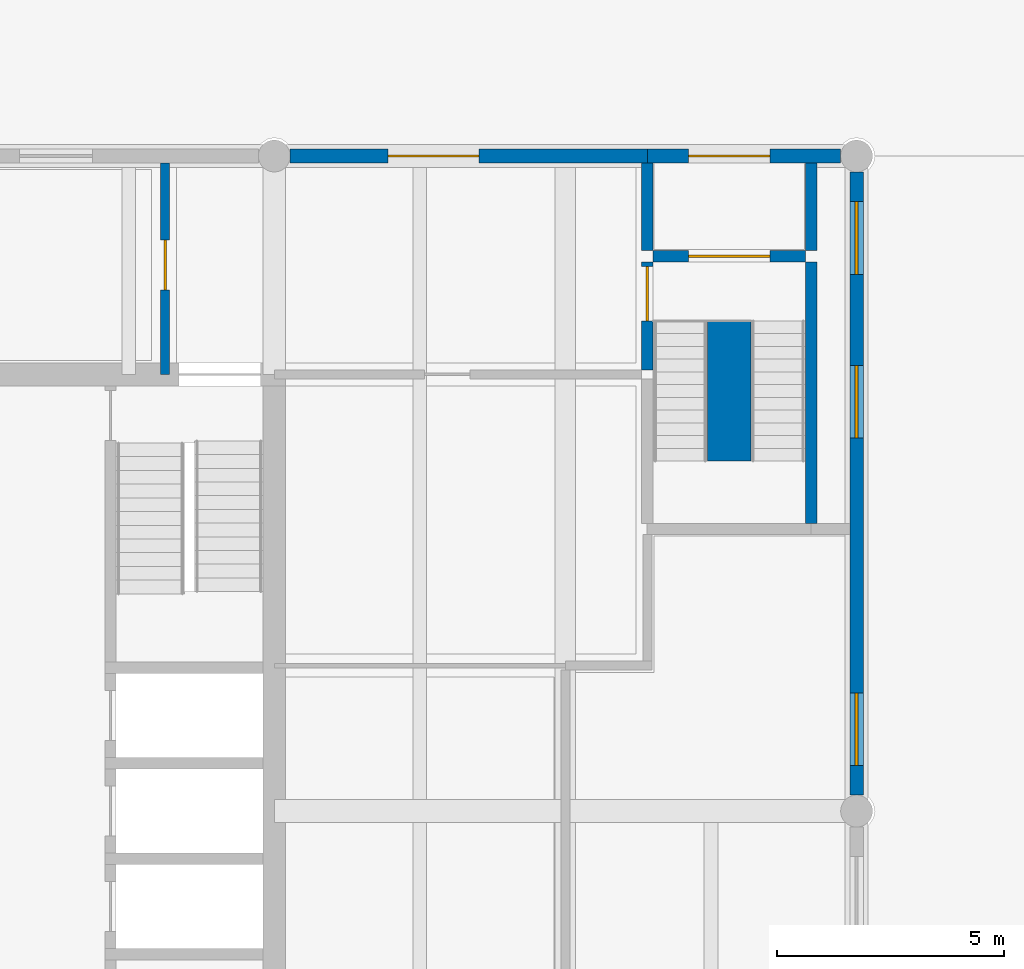
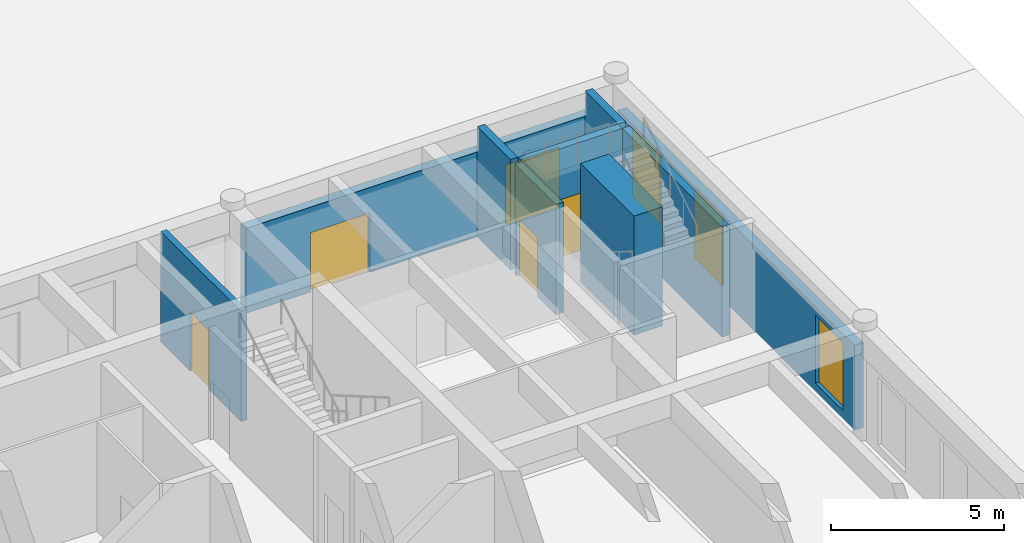
# One storey, part 21 of 28: 10 walls, 5 doors, 3 windows, 8 openings.
"""IFC4 building model written with IfcOpenShell, lengths in metres."""

from ifc_helpers import new_model, si_unit, direction, frame, frame_2d, origin, place, context, subcontext, project, spatial, rectangle, extrude, material, layer, layer_set, type_object, element, fill, save


model = new_model("IFC4")

# Units and contexts
model_context = context("Model", 3, precision=1e-05, world=origin(), true_north=direction((0.0, 1.0)))
body_context = subcontext(model_context, "Body", "Model", "MODEL_VIEW")
ifc_project = project(units=[si_unit("LENGTHUNIT", "METRE"), si_unit("AREAUNIT", "SQUARE_METRE"), si_unit("VOLUMEUNIT", "CUBIC_METRE"), si_unit("PLANEANGLEUNIT", "RADIAN"), si_unit("MASSUNIT", "GRAM", prefix="KILO")], contexts=[model_context])

# Site, building, storey
site_placement = place(None, origin())
site = spatial("IfcSite", under=ifc_project, at=site_placement, CompositionType="ELEMENT")
building_placement = place(site_placement, origin())
building = spatial("IfcBuilding", under=site, at=building_placement, Name="Fogon Plaza Fire Station and Headquarters Tower", CompositionType="ELEMENT")
storey_placement = place(building_placement, origin())
storey = spatial("IfcBuildingStorey", under=building, at=storey_placement, Name="L00", CompositionType="ELEMENT", Elevation=0.0)

# Wall, opening, door
ifc_material_1 = material(Name="Concrete C40", Category="concrete")
ifc_layer_1 = layer(ifc_material_1, 0.300048828125)
ifc_layer_set_1 = layer_set([ifc_layer_1], Name="Concrete C40")
wall_type_1 = type_object("IfcWallType", Name="Board-marked RC Infill Wall 300", PredefinedType="SOLIDWALL", material=ifc_layer_set_1)
wall_1_placement = place(storey_placement, frame((77.14990234375, 57.60009765625, 0.0), z_axis=(0.0, 0.0, 1.0), x_axis=(1.0, 0.0, 0.0)))
wall_1 = element("IfcWall", 1, at=wall_1_placement, inside=storey, type_object=wall_type_1, Name="Exterior wall EN L00", PredefinedType="SOLIDWALL", context=body_context, shape_type="SweptSolid", body=[
    extrude(rectangle(XDim=7.85009765625, YDim=0.300048828125, at=frame_2d((3.925048828125, 0.0))), origin(), (0.0, 0.0, 1.0), 3.0),
])
opening_1_placement = place(wall_1_placement, frame((2.14990234375, 0.0, 0.0)))
opening_1 = element("IfcOpeningElement", 2, at=opening_1_placement, cuts=wall_1, Name="Opening L00-D11", PredefinedType="OPENING", context=body_context, shape_type="SweptSolid", body=[
    extrude(rectangle(XDim=2.0, YDim=2.10009765625, at=frame_2d((1.0, 1.050048828125))), frame((0.0, 0.159912109375, 0.0), z_axis=(0.0, -1.0, 0.0), x_axis=(1.0, 0.0, 0.0)), (0.0, 0.0, 1.0), 0.320068359375),
])
ifc_material_2 = material(Name="Steel Door Leaf", Category="steel")
door_type_1 = type_object("IfcDoorType", Name="Exit Double 2000x2100", OperationType="SINGLE_SWING_LEFT", PredefinedType="DOOR", material=ifc_material_2)
door_1_placement = place(opening_1_placement, origin())
door_1 = element("IfcDoor", 3, at=door_1_placement, inside=storey, type_object=door_type_1, Name="Exterior door L00-D11", OperationType="SINGLE_SWING_LEFT", OverallHeight=2.10009765625, OverallWidth=2.0, PredefinedType="DOOR", context=body_context, shape_type="SweptSolid", body=[
    extrude(rectangle(XDim=2.0, YDim=2.10009765625, at=frame_2d((1.0, 1.050048828125))), frame((0.0, 0.02490234375, 0.0), z_axis=(0.0, -1.0, 0.0), x_axis=(1.0, 0.0, 0.0)), (0.0, 0.0, 1.0), 0.050048828125),
])
fill(opening_1, door_1)

# Wall, openings, windows
wall_2_placement = place(storey_placement, frame((89.60009765625, 43.550048828125, 0.0), z_axis=(0.0, 0.0, 1.0), x_axis=(0.0, 1.0, 0.0)))
wall_2 = element("IfcWall", 4, at=wall_2_placement, inside=storey, type_object=wall_type_1, Name="Exterior wall EE L00", PredefinedType="SOLIDWALL", context=body_context, shape_type="SweptSolid", body=[
    extrude(rectangle(XDim=13.699951171875, YDim=0.300048828125, at=frame_2d((6.85009765625, 0.0))), origin(), (0.0, 0.0, 1.0), 3.0),
])
opening_2_placement = place(wall_2_placement, frame((0.64990234375, 0.0, 0.300048828125)))
opening_2 = element("IfcOpeningElement", 5, at=opening_2_placement, cuts=wall_2, Name="Opening W2", PredefinedType="OPENING", context=body_context, shape_type="SweptSolid", body=[
    extrude(rectangle(XDim=1.60009765625, YDim=2.39990234375, at=frame_2d((0.800048828125, 1.199951171875))), frame((0.0, 0.159912109375, 0.0), z_axis=(0.0, -1.0, 0.0), x_axis=(1.0, 0.0, 0.0)), (0.0, 0.0, 1.0), 0.320068359375),
])
opening_3_placement = place(wall_2_placement, frame((7.85009765625, 0.0, 0.300048828125)))
opening_3 = element("IfcOpeningElement", 6, at=opening_3_placement, cuts=wall_2, Name="Opening W2", PredefinedType="OPENING", context=body_context, shape_type="SweptSolid", body=[
    extrude(rectangle(XDim=1.60009765625, YDim=2.39990234375, at=frame_2d((0.800048828125, 1.199951171875))), frame((0.0, 0.159912109375, 0.0), z_axis=(0.0, -1.0, 0.0), x_axis=(1.0, 0.0, 0.0)), (0.0, 0.0, 1.0), 0.320068359375),
])
opening_4_placement = place(wall_2_placement, frame((11.449951171875, 0.0, 0.300048828125)))
opening_4 = element("IfcOpeningElement", 7, at=opening_4_placement, cuts=wall_2, Name="Opening W2", PredefinedType="OPENING", context=body_context, shape_type="SweptSolid", body=[
    extrude(rectangle(XDim=1.60009765625, YDim=2.39990234375, at=frame_2d((0.800048828125, 1.199951171875))), frame((0.0, 0.159912109375, 0.0), z_axis=(0.0, -1.0, 0.0), x_axis=(1.0, 0.0, 0.0)), (0.0, 0.0, 1.0), 0.320068359375),
])
ifc_material_3 = material(Name="Aluminium framed double glazing", Category="aluminium")
window_type = type_object("IfcWindowType", Name="Window W2 1600x2400", PartitioningType="SINGLE_PANEL", PredefinedType="WINDOW", material=ifc_material_3)
window_1_placement = place(opening_2_placement, origin())
window_1 = element("IfcWindow", 8, at=window_1_placement, inside=storey, type_object=window_type, Name="Window W2 E L00", OverallHeight=2.39990234375, OverallWidth=1.60009765625, PartitioningType="SINGLE_PANEL", PredefinedType="WINDOW", context=body_context, shape_type="SweptSolid", body=[
    extrude(rectangle(XDim=1.60009765625, YDim=2.39990234375, at=frame_2d((0.800048828125, 1.199951171875))), frame((0.0, 0.030029296875, 0.0), z_axis=(0.0, -1.0, 0.0), x_axis=(1.0, 0.0, 0.0)), (0.0, 0.0, 1.0), 0.06005859375),
])
fill(opening_2, window_1)
window_2_placement = place(opening_3_placement, origin())
window_2 = element("IfcWindow", 9, at=window_2_placement, inside=storey, type_object=window_type, Name="Window W2 E L00", OverallHeight=2.39990234375, OverallWidth=1.60009765625, PartitioningType="SINGLE_PANEL", PredefinedType="WINDOW", context=body_context, shape_type="SweptSolid", body=[
    extrude(rectangle(XDim=1.60009765625, YDim=2.39990234375, at=frame_2d((0.800048828125, 1.199951171875))), frame((0.0, 0.030029296875, 0.0), z_axis=(0.0, -1.0, 0.0), x_axis=(1.0, 0.0, 0.0)), (0.0, 0.0, 1.0), 0.06005859375),
])
fill(opening_3, window_2)
window_3_placement = place(opening_4_placement, origin())
window_3 = element("IfcWindow", 10, at=window_3_placement, inside=storey, type_object=window_type, Name="Window W2 E L00", OverallHeight=2.39990234375, OverallWidth=1.60009765625, PartitioningType="SINGLE_PANEL", PredefinedType="WINDOW", context=body_context, shape_type="SweptSolid", body=[
    extrude(rectangle(XDim=1.60009765625, YDim=2.39990234375, at=frame_2d((0.800048828125, 1.199951171875))), frame((0.0, 0.030029296875, 0.0), z_axis=(0.0, -1.0, 0.0), x_axis=(1.0, 0.0, 0.0)), (0.0, 0.0, 1.0), 0.06005859375),
])
fill(opening_4, window_3)

# Wall, opening, door
ifc_material_4 = material(Name="Concrete C40", Category="concrete")
ifc_layer_2 = layer(ifc_material_4, 0.300048828125)
ifc_layer_set_2 = layer_set([ifc_layer_2], Name="Concrete C40")
wall_type_2 = type_object("IfcWallType", Name="Board-marked RC Infill Wall 300 EI 120", PredefinedType="SOLIDWALL", material=ifc_layer_set_2)
wall_3_placement = place(storey_placement, frame((85.0, 57.60009765625, 0.0), z_axis=(0.0, 0.0, 1.0), x_axis=(1.0, 0.0, 0.0)))
wall_3 = element("IfcWall", 11, at=wall_3_placement, inside=storey, type_object=wall_type_2, Name="Exterior wall EN L00", PredefinedType="SOLIDWALL", context=body_context, shape_type="SweptSolid", body=[
    extrude(rectangle(XDim=4.25, YDim=0.300048828125, at=frame_2d((2.125, 0.0))), origin(), (0.0, 0.0, 1.0), 3.0),
])
opening_5_placement = place(wall_3_placement, frame((0.89990234375, 0.0, 0.0)))
opening_5 = element("IfcOpeningElement", 12, at=opening_5_placement, cuts=wall_3, Name="Opening L00-D12", PredefinedType="OPENING", context=body_context, shape_type="SweptSolid", body=[
    extrude(rectangle(XDim=1.800048828125, YDim=2.10009765625, at=frame_2d((0.89990234375, 1.050048828125))), frame((0.0, 0.159912109375, 0.0), z_axis=(0.0, -1.0, 0.0), x_axis=(1.0, 0.0, 0.0)), (0.0, 0.0, 1.0), 0.320068359375),
])
ifc_material_5 = material(Name="Steel Fire Door Leaf", Category="steel")
door_type_2 = type_object("IfcDoorType", Name="Stair Discharge Double 1800x2100", OperationType="SINGLE_SWING_LEFT", PredefinedType="DOOR", material=ifc_material_5)
door_2_placement = place(opening_5_placement, origin())
door_2 = element("IfcDoor", 13, at=door_2_placement, inside=storey, type_object=door_type_2, Name="Exterior door L00-D12", OperationType="SINGLE_SWING_RIGHT", OverallHeight=2.10009765625, OverallWidth=1.800048828125, PredefinedType="DOOR", context=body_context, shape_type="SweptSolid", body=[
    extrude(rectangle(XDim=1.800048828125, YDim=2.10009765625, at=frame_2d((0.89990234375, 1.050048828125))), frame((0.0, 0.02490234375, 0.0), z_axis=(0.0, -1.0, 0.0), x_axis=(1.0, 0.0, 0.0)), (0.0, 0.0, 1.0), 0.050048828125),
])
fill(opening_5, door_2)

ifc_material_6 = material(Name="Gypsum Board Fire Partition")
ifc_layer_3 = layer(ifc_material_6, 0.199951171875)
ifc_layer_set_3 = layer_set([ifc_layer_3], Name="Gypsum Board Fire Partition")
wall_type_3 = type_object("IfcWallType", Name="Corridor Wall EI 60", PredefinedType="PARTITIONING", material=ifc_layer_set_3)
wall_4_placement = place(storey_placement, frame((74.39990234375, 52.800048828125, 0.0), z_axis=(0.0, 0.0, 1.0), x_axis=(0.0, 1.0, 0.0)))
wall_4 = element("IfcWall", 14, at=wall_4_placement, inside=storey, type_object=wall_type_3, Name="wall-L00-E-050", PredefinedType="PARTITIONING", context=body_context, shape_type="SweptSolid", body=[
    extrude(rectangle(XDim=4.64990234375, YDim=0.199951171875, at=frame_2d((2.324951171875, 0.0))), origin(), (0.0, 0.0, 1.0), 3.89990234375),
])
opening_6_placement = place(wall_4_placement, frame((1.85009765625, 0.0, 0.0)))
opening_6 = element("IfcOpeningElement", 15, at=opening_6_placement, cuts=wall_4, Name="Opening L00-D100", PredefinedType="OPENING", context=body_context, shape_type="SweptSolid", body=[
    extrude(rectangle(XDim=1.10009765625, YDim=2.10009765625, at=frame_2d((0.550048828125, 1.050048828125))), frame((0.0, 0.10986328125, 0.0), z_axis=(0.0, -1.0, 0.0), x_axis=(1.0, 0.0, 0.0)), (0.0, 0.0, 1.0), 0.219970703125),
])
ifc_material_7 = material(Name="Steel Fire Door Leaf", Category="steel")
door_type_3 = type_object("IfcDoorType", Name="Corridor Door EI 20 1100x2100", OperationType="SINGLE_SWING_LEFT", PredefinedType="DOOR", material=ifc_material_7)
door_3_placement = place(opening_6_placement, origin())
door_3 = element("IfcDoor", 16, at=door_3_placement, inside=storey, type_object=door_type_3, Name="door-L00-E-21", OperationType="SINGLE_SWING_LEFT", OverallHeight=2.10009765625, OverallWidth=1.10009765625, PredefinedType="DOOR", context=body_context, shape_type="SweptSolid", body=[
    extrude(rectangle(XDim=1.10009765625, YDim=2.10009765625, at=frame_2d((0.550048828125, 1.050048828125))), frame((0.0, 0.02490234375, 0.0), z_axis=(0.0, -1.0, 0.0), x_axis=(1.0, 0.0, 0.0)), (0.0, 0.0, 1.0), 0.050048828125),
])
fill(opening_6, door_3)

# Wall
ifc_material_8 = material(Name="Concrete C40", Category="concrete")
ifc_layer_4 = layer(ifc_material_8, 0.949951171875)
ifc_layer_set_4 = layer_set([ifc_layer_4], Name="Concrete C40")
wall_type_4 = type_object("IfcWallType", Name="Stair Newel Wall RC 950", PredefinedType="SHEAR", material=ifc_layer_set_4)
wall_5_placement = place(storey_placement, frame((86.800048828125, 53.97509765625, 0.0), z_axis=(0.0, 0.0, 1.0), x_axis=(0.0, -1.0, 0.0)))
element("IfcWall", 17, at=wall_5_placement, inside=storey, type_object=wall_type_4, Name="wall-newel-ST7-L00", PredefinedType="SHEAR", context=body_context, shape_type="SweptSolid", body=[
    extrude(rectangle(XDim=3.080078125, YDim=0.949951171875, at=frame_2d((1.5400390625, 0.0))), origin(), (0.0, 0.0, 1.0), 4.199951171875),
])

# Wall, opening, door
ifc_material_9 = material(Name="Concrete C40", Category="concrete")
ifc_layer_5 = layer(ifc_material_9, 0.25)
ifc_layer_set_5 = layer_set([ifc_layer_5], Name="Concrete C40")
wall_type_5 = type_object("IfcWallType", Name="Stair Shaft Wall RC 250", PredefinedType="SHEAR", material=ifc_layer_set_5)
wall_6_placement = place(storey_placement, frame((88.47509765625, 55.39990234375, 0.0), z_axis=(0.0, 0.0, 1.0), x_axis=(-1.0, 0.0, 0.0)))
wall_6 = element("IfcWall", 18, at=wall_6_placement, inside=storey, type_object=wall_type_5, Name="wall-L00-E-029", PredefinedType="SHEAR", context=body_context, shape_type="SweptSolid", body=[
    extrude(rectangle(XDim=3.35009765625, YDim=0.25, at=frame_2d((1.675048828125, 0.0))), origin(), (0.0, 0.0, 1.0), 3.89990234375),
])
opening_7_placement = place(wall_6_placement, frame((0.77490234375, 0.0, 0.0)))
opening_7 = element("IfcOpeningElement", 19, at=opening_7_placement, cuts=wall_6, Name="Opening L00-D99", PredefinedType="OPENING", context=body_context, shape_type="SweptSolid", body=[
    extrude(rectangle(XDim=1.800048828125, YDim=2.10009765625, at=frame_2d((0.89990234375, 1.050048828125))), frame((0.0, 0.135009765625, 0.0), z_axis=(0.0, -1.0, 0.0), x_axis=(1.0, 0.0, 0.0)), (0.0, 0.0, 1.0), 0.27001953125),
])
door_4_placement = place(opening_7_placement, frame((1.800048828125, 0.0, 0.0), z_axis=(0.0, 0.0, 1.0), x_axis=(-1.0, 0.0, 0.0)))
door_4 = element("IfcDoor", 20, at=door_4_placement, inside=storey, type_object=door_type_2, Name="door-L00-E-20", OperationType="DOUBLE_DOOR_SINGLE_SWING", OverallHeight=2.10009765625, OverallWidth=1.800048828125, PredefinedType="DOOR", context=body_context, shape_type="SweptSolid", body=[
    extrude(rectangle(XDim=1.800048828125, YDim=2.10009765625, at=frame_2d((0.89990234375, 1.050048828125))), frame((0.0, 0.02490234375, 0.0), z_axis=(0.0, -1.0, 0.0), x_axis=(1.0, 0.0, 0.0)), (0.0, 0.0, 1.0), 0.050048828125),
])
fill(opening_7, door_4)

# Wall
wall_7_placement = place(storey_placement, frame((88.60009765625, 49.52490234375, 0.0), z_axis=(0.0, 0.0, 1.0), x_axis=(0.0, 1.0, 0.0)))
element("IfcWall", 21, at=wall_7_placement, inside=storey, type_object=wall_type_5, Name="wall-L00-E-032", PredefinedType="SHEAR", context=body_context, shape_type="SweptSolid", body=[
    extrude(rectangle(XDim=5.75, YDim=0.25, at=frame_2d((2.875, 0.0))), origin(), (0.0, 0.0, 1.0), 3.89990234375),
])

# Wall, opening, door
wall_8_placement = place(storey_placement, frame((85.0, 52.89990234375, 0.0), z_axis=(0.0, 0.0, 1.0), x_axis=(0.0, 1.0, 0.0)))
wall_8 = element("IfcWall", 22, at=wall_8_placement, inside=storey, type_object=wall_type_5, Name="wall-L00-E-039", PredefinedType="SHEAR", context=body_context, shape_type="SweptSolid", body=[
    extrude(rectangle(XDim=2.375, YDim=0.25, at=frame_2d((1.1875, 0.0))), origin(), (0.0, 0.0, 1.0), 3.89990234375),
])
opening_8_placement = place(wall_8_placement, frame((1.074951171875, 0.0, 0.0)))
opening_8 = element("IfcOpeningElement", 23, at=opening_8_placement, cuts=wall_8, Name="Opening L00-D98", PredefinedType="OPENING", context=body_context, shape_type="SweptSolid", body=[
    extrude(rectangle(XDim=1.199951171875, YDim=2.10009765625, at=frame_2d((0.60009765625, 1.050048828125))), frame((0.0, 0.135009765625, 0.0), z_axis=(0.0, -1.0, 0.0), x_axis=(1.0, 0.0, 0.0)), (0.0, 0.0, 1.0), 0.27001953125),
])
ifc_material_10 = material(Name="Steel Fire Door Leaf", Category="steel")
door_type_4 = type_object("IfcDoorType", Name="Stair Door EI 90 1200x2100", OperationType="SINGLE_SWING_LEFT", PredefinedType="DOOR", material=ifc_material_10)
door_5_placement = place(opening_8_placement, origin())
door_5 = element("IfcDoor", 24, at=door_5_placement, inside=storey, type_object=door_type_4, Name="door-L00-E-19", OperationType="SINGLE_SWING_LEFT", OverallHeight=2.10009765625, OverallWidth=1.199951171875, PredefinedType="DOOR", context=body_context, shape_type="SweptSolid", body=[
    extrude(rectangle(XDim=1.199951171875, YDim=2.10009765625, at=frame_2d((0.60009765625, 1.050048828125))), frame((0.0, 0.02490234375, 0.0), z_axis=(0.0, -1.0, 0.0), x_axis=(1.0, 0.0, 0.0)), (0.0, 0.0, 1.0), 0.050048828125),
])
fill(opening_8, door_5)

# Walls
ifc_material_11 = material(Name="Concrete Block Fire Wall", Category="concrete")
ifc_layer_6 = layer(ifc_material_11, 0.25)
ifc_layer_set_6 = layer_set([ifc_layer_6], Name="Concrete Block Fire Wall")
wall_type_6 = type_object("IfcWallType", Name="Stair and Shaft Wall EI 120", PredefinedType="PARTITIONING", material=ifc_layer_set_6)
for number, where, z_axis, x_axis, name in (
    (25, (88.60009765625, 55.52490234375, 0.0), (0.0, 0.0, 1.0), (0.0, 1.0, 0.0), "wall-L00-E-033"),
    (26, (85.0, 55.52490234375, 0.0), (0.0, 0.0, 1.0), (0.0, 1.0, 0.0), "wall-L00-E-040"),
):
    element("IfcWall", number, at=place(storey_placement, frame(where, z_axis=z_axis, x_axis=x_axis)), inside=storey, type_object=wall_type_6, Name=name, PredefinedType="PARTITIONING", context=body_context, shape_type="SweptSolid", body=[
        extrude(rectangle(XDim=1.925048828125, YDim=0.25, at=frame_2d((0.96240234375, 0.0))), origin(), (0.0, 0.0, 1.0), 3.89990234375),
    ])

save(model, "model.ifc")
